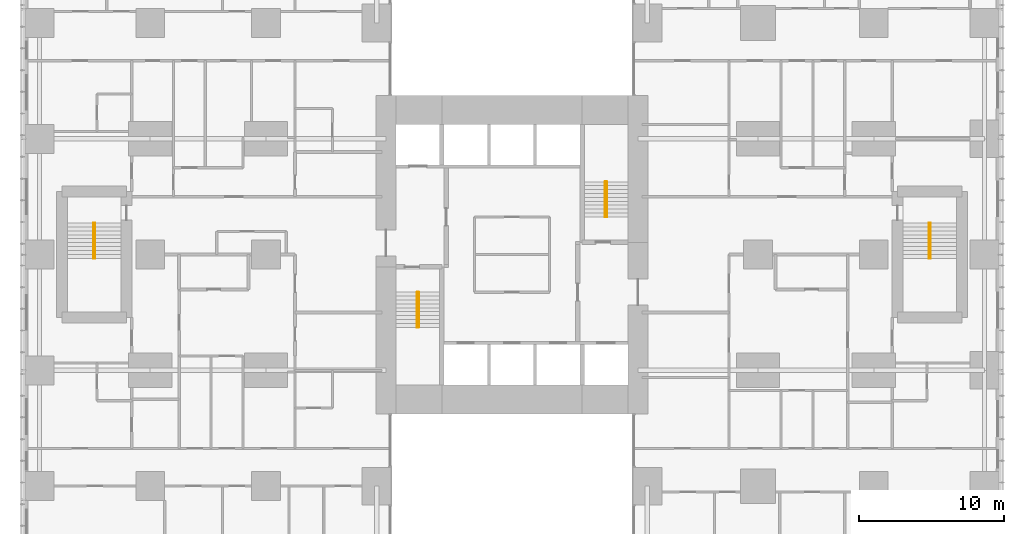
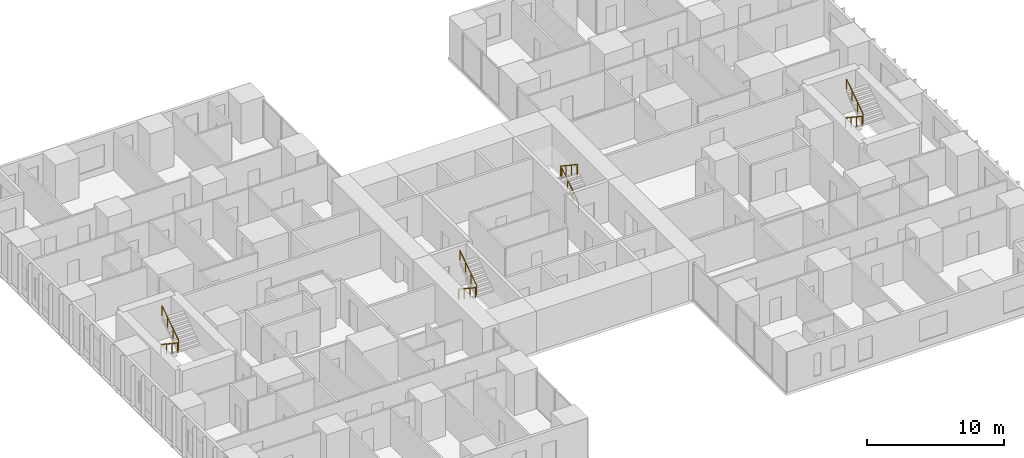
# One storey, part 20 of 20: 8 railings.
"""IFC4 building model written with IfcOpenShell, lengths in metres."""

from ifc_helpers import new_model, si_unit, direction, frame, origin, origin_2d, place, context, subcontext, project, spatial, circle, extrude, material, type_object, element, save


model = new_model("IFC4")

# Units and contexts
model_context = context("Model", 3, precision=1e-05, world=origin(), true_north=direction((0.0, 1.0)))
body_context = subcontext(model_context, "Body", "Model", "MODEL_VIEW")
ifc_project = project(units=[si_unit("LENGTHUNIT", "METRE"), si_unit("AREAUNIT", "SQUARE_METRE"), si_unit("VOLUMEUNIT", "CUBIC_METRE"), si_unit("PLANEANGLEUNIT", "RADIAN"), si_unit("MASSUNIT", "GRAM", prefix="KILO")], contexts=[model_context])

# Site, building, storey
site_placement = place(None, origin())
site = spatial("IfcSite", under=ifc_project, at=site_placement, CompositionType="ELEMENT")
building_placement = place(site_placement, origin())
building = spatial("IfcBuilding", under=site, at=building_placement, Name="Cleftline Residences", CompositionType="ELEMENT")
storey_placement = place(building_placement, frame((0.0, 0.0, 40.39990234375)))
storey = spatial("IfcBuildingStorey", under=building, at=storey_placement, Name="L09", CompositionType="ELEMENT", Elevation=40.39990234375)

# Railings
ifc_material = material(Name="Stainless steel", Category="steel")
railing_type = type_object("IfcRailingType", Name="HANDRAIL 900", PredefinedType="HANDRAIL", material=ifc_material)
railing_1_placement = place(storey_placement, frame((26.449951171875, 21.39990234375, 0.18017578125)))
element("IfcRailing", 1, at=railing_1_placement, inside=storey, type_object=railing_type, Name="Stair handrail", PredefinedType="HANDRAIL", context=body_context, shape_type="SweptSolid", body=[
    extrude(circle(Radius=0.02392578125, at=origin_2d()), frame((0.0, 0.0, 0.8759765625), z_axis=(0.0, -0.832063155534, 0.554680903946), x_axis=(1.0, 0.0, 0.0)), (0.0, 0.0, 1.0), 2.92041015625),
    extrude(circle(Radius=0.02099609375, at=origin_2d()), origin(), (0.0, 0.0, 1.0), 0.851806640625),
    extrude(circle(Radius=0.02099609375, at=origin_2d()), frame((0.0, -0.81005859375, 0.5400390625)), (0.0, 0.0, 1.0), 0.851806640625),
    extrude(circle(Radius=0.02099609375, at=origin_2d()), frame((0.0, -1.619873046875, 1.079833984375)), (0.0, 0.0, 1.0), 0.851806640625),
    extrude(circle(Radius=0.02099609375, at=origin_2d()), frame((0.0, -2.429931640625, 1.619873046875)), (0.0, 0.0, 1.0), 0.851806640625),
])
railing_2_placement = place(storey_placement, frame((26.550048828125, 18.969970703125, 1.97998046875)))
element("IfcRailing", 2, at=railing_2_placement, inside=storey, type_object=railing_type, Name="Stair handrail", PredefinedType="HANDRAIL", context=body_context, shape_type="SweptSolid", body=[
    extrude(circle(Radius=0.02392578125, at=origin_2d()), frame((0.0, 0.0, 0.8759765625), z_axis=(0.0, 0.832024571796, 0.554738778101), x_axis=(-1.0, 0.0, 0.0)), (0.0, 0.0, 1.0), 2.92041015625),
    extrude(circle(Radius=0.02099609375, at=origin_2d()), origin(), (0.0, 0.0, 1.0), 0.851806640625),
    extrude(circle(Radius=0.02099609375, at=origin_2d()), frame((0.0, 0.81005859375, 0.5400390625)), (0.0, 0.0, 1.0), 0.851806640625),
    extrude(circle(Radius=0.02099609375, at=origin_2d()), frame((0.0, 1.619873046875, 1.080078125)), (0.0, 0.0, 1.0), 0.851806640625),
    extrude(circle(Radius=0.02099609375, at=origin_2d()), frame((0.0, 2.429931640625, 1.6201171875)), (0.0, 0.0, 1.0), 0.851806640625),
])
railing_3_placement = place(storey_placement, frame((39.550048828125, 26.60009765625, 0.18017578125)))
element("IfcRailing", 3, at=railing_3_placement, inside=storey, type_object=railing_type, Name="Stair handrail", PredefinedType="HANDRAIL", context=body_context, shape_type="SweptSolid", body=[
    extrude(circle(Radius=0.02392578125, at=origin_2d()), frame((0.0, 0.0, 0.8759765625), z_axis=(0.0, 0.832063155534, 0.554680903946), x_axis=(-1.0, 0.0, 0.0)), (0.0, 0.0, 1.0), 2.92041015625),
    extrude(circle(Radius=0.02099609375, at=origin_2d()), origin(), (0.0, 0.0, 1.0), 0.851806640625),
    extrude(circle(Radius=0.02099609375, at=origin_2d()), frame((0.0, 0.81005859375, 0.5400390625)), (0.0, 0.0, 1.0), 0.851806640625),
    extrude(circle(Radius=0.02099609375, at=origin_2d()), frame((0.0, 1.619873046875, 1.079833984375)), (0.0, 0.0, 1.0), 0.851806640625),
    extrude(circle(Radius=0.02099609375, at=origin_2d()), frame((0.0, 2.429931640625, 1.619873046875)), (0.0, 0.0, 1.0), 0.851806640625),
])
railing_4_placement = place(storey_placement, frame((39.449951171875, 29.030029296875, 1.97998046875)))
element("IfcRailing", 4, at=railing_4_placement, inside=storey, type_object=railing_type, Name="Stair handrail", PredefinedType="HANDRAIL", context=body_context, shape_type="SweptSolid", body=[
    extrude(circle(Radius=0.02392578125, at=origin_2d()), frame((0.0, 0.0, 0.8759765625), z_axis=(0.0, -0.832024571796, 0.554738778101), x_axis=(1.0, 0.0, 0.0)), (0.0, 0.0, 1.0), 2.92041015625),
    extrude(circle(Radius=0.02099609375, at=origin_2d()), origin(), (0.0, 0.0, 1.0), 0.851806640625),
    extrude(circle(Radius=0.02099609375, at=origin_2d()), frame((0.0, -0.81005859375, 0.5400390625)), (0.0, 0.0, 1.0), 0.851806640625),
    extrude(circle(Radius=0.02099609375, at=origin_2d()), frame((0.0, -1.619873046875, 1.080078125)), (0.0, 0.0, 1.0), 0.851806640625),
    extrude(circle(Radius=0.02099609375, at=origin_2d()), frame((0.0, -2.429931640625, 1.6201171875)), (0.0, 0.0, 1.0), 0.851806640625),
])
railing_5_placement = place(storey_placement, frame((61.824951171875, 26.175048828125, 0.18017578125)))
element("IfcRailing", 5, at=railing_5_placement, inside=storey, type_object=railing_type, Name="Stair handrail", PredefinedType="HANDRAIL", context=body_context, shape_type="SweptSolid", body=[
    extrude(circle(Radius=0.02392578125, at=origin_2d()), frame((0.0, 0.0, 0.8759765625), z_axis=(0.0, -0.832063155534, 0.554680903946), x_axis=(1.0, 0.0, 0.0)), (0.0, 0.0, 1.0), 2.92041015625),
    extrude(circle(Radius=0.02099609375, at=origin_2d()), origin(), (0.0, 0.0, 1.0), 0.851806640625),
    extrude(circle(Radius=0.02099609375, at=origin_2d()), frame((0.0, -0.81005859375, 0.5400390625)), (0.0, 0.0, 1.0), 0.851806640625),
    extrude(circle(Radius=0.02099609375, at=origin_2d()), frame((0.0, -1.619873046875, 1.079833984375)), (0.0, 0.0, 1.0), 0.851806640625),
    extrude(circle(Radius=0.02099609375, at=origin_2d()), frame((0.0, -2.429931640625, 1.619873046875)), (0.0, 0.0, 1.0), 0.851806640625),
])
railing_6_placement = place(storey_placement, frame((61.925048828125, 23.7451171875, 1.97998046875)))
element("IfcRailing", 6, at=railing_6_placement, inside=storey, type_object=railing_type, Name="Stair handrail", PredefinedType="HANDRAIL", context=body_context, shape_type="SweptSolid", body=[
    extrude(circle(Radius=0.02392578125, at=origin_2d()), frame((0.0, 0.0, 0.8759765625), z_axis=(0.0, 0.832024571796, 0.554738778101), x_axis=(-1.0, 0.0, 0.0)), (0.0, 0.0, 1.0), 2.92041015625),
    extrude(circle(Radius=0.02099609375, at=origin_2d()), origin(), (0.0, 0.0, 1.0), 0.851806640625),
    extrude(circle(Radius=0.02099609375, at=origin_2d()), frame((0.0, 0.81005859375, 0.5400390625)), (0.0, 0.0, 1.0), 0.851806640625),
    extrude(circle(Radius=0.02099609375, at=origin_2d()), frame((0.0, 1.619873046875, 1.080078125)), (0.0, 0.0, 1.0), 0.851806640625),
    extrude(circle(Radius=0.02099609375, at=origin_2d()), frame((0.0, 2.429931640625, 1.6201171875)), (0.0, 0.0, 1.0), 0.851806640625),
])
railing_7_placement = place(storey_placement, frame((4.074951171875, 26.175048828125, 0.18017578125)))
element("IfcRailing", 7, at=railing_7_placement, inside=storey, type_object=railing_type, Name="Stair handrail", PredefinedType="HANDRAIL", context=body_context, shape_type="SweptSolid", body=[
    extrude(circle(Radius=0.02392578125, at=origin_2d()), frame((0.0, 0.0, 0.8759765625), z_axis=(0.0, -0.832063155534, 0.554680903946), x_axis=(1.0, 0.0, 0.0)), (0.0, 0.0, 1.0), 2.92041015625),
    extrude(circle(Radius=0.02099609375, at=origin_2d()), origin(), (0.0, 0.0, 1.0), 0.851806640625),
    extrude(circle(Radius=0.02099609375, at=origin_2d()), frame((0.0, -0.81005859375, 0.5400390625)), (0.0, 0.0, 1.0), 0.851806640625),
    extrude(circle(Radius=0.02099609375, at=origin_2d()), frame((0.0, -1.619873046875, 1.079833984375)), (0.0, 0.0, 1.0), 0.851806640625),
    extrude(circle(Radius=0.02099609375, at=origin_2d()), frame((0.0, -2.429931640625, 1.619873046875)), (0.0, 0.0, 1.0), 0.851806640625),
])
railing_8_placement = place(storey_placement, frame((4.175048828125, 23.7451171875, 1.97998046875)))
element("IfcRailing", 8, at=railing_8_placement, inside=storey, type_object=railing_type, Name="Stair handrail", PredefinedType="HANDRAIL", context=body_context, shape_type="SweptSolid", body=[
    extrude(circle(Radius=0.02392578125, at=origin_2d()), frame((0.0, 0.0, 0.8759765625), z_axis=(0.0, 0.832024571796, 0.554738778101), x_axis=(-1.0, 0.0, 0.0)), (0.0, 0.0, 1.0), 2.92041015625),
    extrude(circle(Radius=0.02099609375, at=origin_2d()), origin(), (0.0, 0.0, 1.0), 0.851806640625),
    extrude(circle(Radius=0.02099609375, at=origin_2d()), frame((0.0, 0.81005859375, 0.5400390625)), (0.0, 0.0, 1.0), 0.851806640625),
    extrude(circle(Radius=0.02099609375, at=origin_2d()), frame((0.0, 1.619873046875, 1.080078125)), (0.0, 0.0, 1.0), 0.851806640625),
    extrude(circle(Radius=0.02099609375, at=origin_2d()), frame((0.0, 2.429931640625, 1.6201171875)), (0.0, 0.0, 1.0), 0.851806640625),
])

save(model, "model.ifc")
